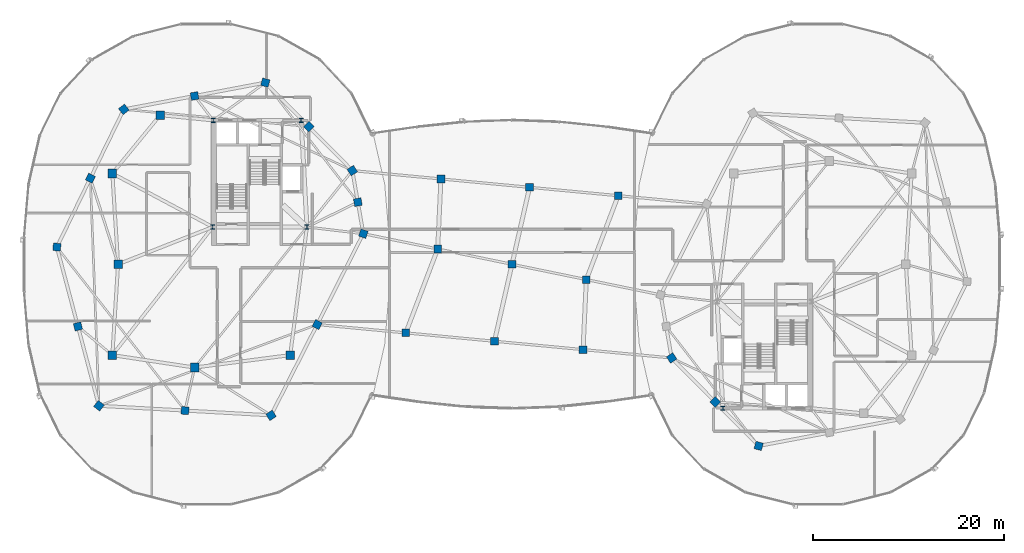
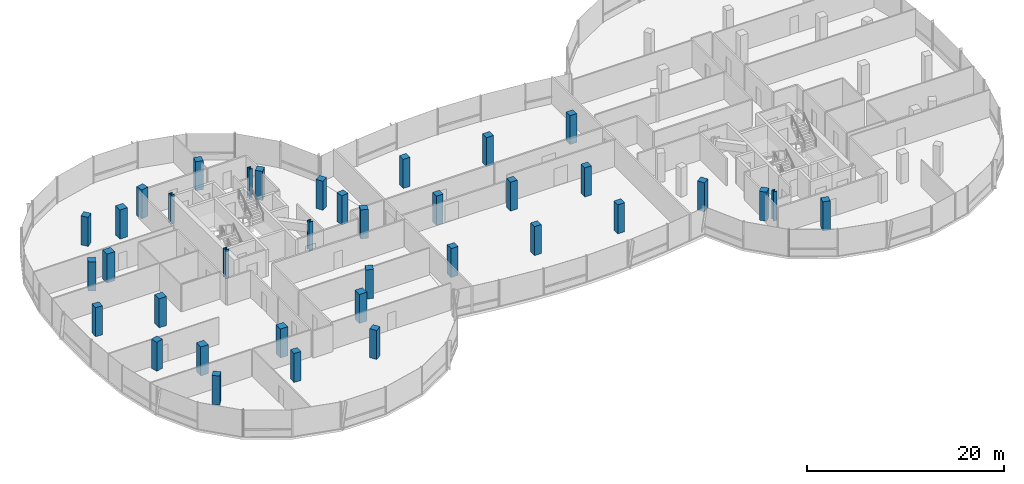
# One storey, part 1 of 25: 37 columns.
"""IFC4 building model written with IfcOpenShell, lengths in metres."""

from ifc_helpers import new_model, si_unit, direction, frame, origin, origin_2d, place, context, subcontext, project, spatial, rectangle, i_section, extrude, material, material_profile, profile_set, type_object, element, save


model = new_model("IFC4")

# Units and contexts
model_context = context("Model", 3, precision=1e-05, world=origin(), true_north=direction((0.0, 1.0)))
body_context = subcontext(model_context, "Body", "Model", "MODEL_VIEW")
ifc_project = project(units=[si_unit("LENGTHUNIT", "METRE"), si_unit("AREAUNIT", "SQUARE_METRE"), si_unit("VOLUMEUNIT", "CUBIC_METRE"), si_unit("PLANEANGLEUNIT", "RADIAN"), si_unit("MASSUNIT", "GRAM", prefix="KILO"), si_unit("THERMODYNAMICTEMPERATUREUNIT", "KELVIN"), si_unit("POWERUNIT", "WATT")], contexts=[model_context])

# Site, building, storey
site_placement = place(None, origin())
site = spatial("IfcSite", under=ifc_project, at=site_placement, CompositionType="ELEMENT")
building_placement = place(site_placement, origin())
building = spatial("IfcBuilding", under=site, at=building_placement, Name="Cundina Bronze Exchange", CompositionType="ELEMENT")
storey_placement = place(building_placement, frame((0.0, 0.0, 250.39990234375)))
storey = spatial("IfcBuildingStorey", under=building, at=storey_placement, Name="L66", CompositionType="ELEMENT", Elevation=250.39990234375)

# Columns
ifc_material_1 = material(Name="Concrete C50/60", Category="concrete")
ifc_material_profile_1 = material_profile(ifc_material_1, rectangle(XDim=0.800048828125, YDim=0.800048828125, at=origin_2d()), Name="RC800X800", Category="concrete")
ifc_profile_set_1 = profile_set([ifc_material_profile_1], Name="Concrete C50/60")
column_type_1 = type_object("IfcColumnType", Name="COL-BRG-800", PredefinedType="COLUMN", material=ifc_profile_set_1)
for number, where, z_axis, x_axis, name in (
    (1, (-15.550048828125, 3.199951171875, 0.0), (0.0, 0.0, 1.0), (0.315152163383, 0.949041155016, 0.0), "L66 W Perimeter Column 00"),
    (2, (-16.125, 6.5, 0.0), (0.0, 0.0, 1.0), (-0.171585221787, 0.985169280715, 0.0), "L66 W Perimeter Column 01"),
    (3, (-16.699951171875, 9.800048828125, 0.0), (0.0, 0.0, 1.0), (-0.544199833495, 0.838955625301, 0.0), "L66 W Perimeter Column 02"),
    (4, (-21.25, 14.39990234375, 0.0), (0.0, 0.0, 1.0), (-0.703270634186, 0.710922228581, 0.0), "L66 W Perimeter Column 03"),
    (5, (-25.800048828125, 19.0, 0.0), (0.0, 0.0, 1.0), (-0.965970984022, 0.258650455301, 0.0), "L66 W Perimeter Column 04"),
    (6, (-33.199951171875, 17.60009765625, 0.0), (0.0, 0.0, 1.0), (-0.98258037664, -0.185838110843, 0.0), "L66 W Perimeter Column 05"),
    (7, (-40.60009765625, 16.199951171875, 0.0), (0.0, 0.0, 1.0), (-0.785100778485, -0.619368038909, 0.0), "L66 W Perimeter Column 06"),
    (8, (-44.10009765625, 9.0, 0.0), (0.0, 0.0, 1.0), (-0.437115766651, -0.899405251566, 0.0), "L66 W Perimeter Column 07"),
    (9, (-47.60009765625, 1.800048828125, 0.0), (0.0, 0.0, 1.0), (-0.083503921245, -0.996507448611, 0.0), "L66 W Perimeter Column 08"),
    (10, (-45.39990234375, -6.5, 0.0), (0.0, 0.0, 1.0), (0.256289373133, -0.966600102017, 0.0), "L66 W Perimeter Column 09"),
    (11, (-43.199951171875, -14.800048828125, 0.0), (0.0, 0.0, 1.0), (0.786288432137, -0.61785961309, 0.0), "L66 W Perimeter Column 10"),
    (12, (-34.199951171875, -15.300048828125, 0.0), (0.0, 0.0, 1.0), (0.998460188734, -0.055472980025, 0.0), "L66 W Perimeter Column 11"),
    (13, (-25.199951171875, -15.800048828125, 0.0), (0.0, 0.0, 1.0), (0.838099763533, 0.545516989988, 0.0), "L66 W Perimeter Column 12"),
    (14, (-20.375, -6.300048828125, 0.0), (0.0, 0.0, 1.0), (0.452901591366, 0.891560513111, 0.0), "L66 W Perimeter Column 13"),
    (15, (16.699951171875, -9.800048828125, 0.0), (0.0, 0.0, 1.0), (0.544199833495, -0.838955625301, 0.0), "L66 E Perimeter Column 02"),
    (16, (21.25, -14.39990234375, 0.0), (0.0, 0.0, 1.0), (0.703270634186, -0.710922228581, 0.0), "L66 E Perimeter Column 03"),
    (17, (25.800048828125, -19.0, 0.0), (0.0, 0.0, 1.0), (0.965970984022, -0.258650455301, 0.0), "L66 E Perimeter Column 04"),
    (18, (-11.106201171875, -7.175048828125, 0.0), (0.0, 0.0, 1.0), (1.0, 0.0, 0.0), "L66 Sky-Gate Bridge Column Y1-X1"),
    (19, (-1.83740234375, -8.050048828125, 0.0), (0.0, 0.0, 1.0), (1.0, 0.0, 0.0), "L66 Sky-Gate Bridge Column Y1-X2"),
    (20, (7.431396484375, -8.925048828125, 0.0), (0.0, 0.0, 1.0), (1.0, 0.0, 0.0), "L66 Sky-Gate Bridge Column Y1-X3"),
    (21, (-7.77490234375, 1.60009765625, 0.0), (0.0, 0.0, 1.0), (1.0, 0.0, 0.0), "L66 Sky-Gate Bridge Column Y2-X1"),
    (22, (0.0, 0.0, 0.0), (0.0, 0.0, 1.0), (1.0, 0.0, 0.0), "L66 Sky-Gate Bridge Column Y2-X2"),
    (23, (7.77490234375, -1.60009765625, 0.0), (0.0, 0.0, 1.0), (1.0, 0.0, 0.0), "L66 Sky-Gate Bridge Column Y2-X3"),
    (24, (-7.43115234375, 8.925048828125, 0.0), (0.0, 0.0, 1.0), (1.0, 0.0, 0.0), "L66 Sky-Gate Bridge Column Y3-X1"),
    (25, (1.83740234375, 8.050048828125, 0.0), (0.0, 0.0, 1.0), (1.0, 0.0, 0.0), "L66 Sky-Gate Bridge Column Y3-X2"),
    (26, (11.106201171875, 7.175048828125, 0.0), (0.0, 0.0, 1.0), (1.0, 0.0, 0.0), "L66 Sky-Gate Bridge Column Y3-X3"),
):
    element("IfcColumn", number, at=place(storey_placement, frame(where, z_axis=z_axis, x_axis=x_axis)), inside=storey, type_object=column_type_1, Name=name, PredefinedType="COLUMN", context=body_context, shape_type="SweptSolid", body=[
        extrude(rectangle(XDim=0.800048828125, YDim=0.800048828125, at=origin_2d()), origin(), (0.0, 0.0, 1.0), 3.60009765625),
    ])
ifc_material_2 = material(Name="Steel ASTM A992 Grade 50", Category="steel")
ifc_material_profile_2 = material_profile(ifc_material_2, i_section(OverallWidth=0.416015625, OverallDepth=0.446044921875, WebThickness=0.0390625, FlangeThickness=0.062744140625, FilletRadius=0.01806640625, at=origin_2d()), Name="W14X342", Category="steel")
ifc_profile_set_2 = profile_set([ifc_material_profile_2], Name="Steel ASTM A992 Grade 50")
column_type_2 = type_object("IfcColumnType", Name="COL-STL-W14B", PredefinedType="COLUMN", material=ifc_profile_set_2)
for number, where, z_axis, x_axis, name in (
    (27, (-31.300048828125, 3.89990234375, 0.0), (0.0, 0.0, 1.0), (1.0, 0.0, 0.0), "L66 Core Anchor Column W1"),
    (28, (-21.449951171875, 3.89990234375, 0.0), (0.0, 0.0, 1.0), (1.0, 0.0, 0.0), "L66 Core Anchor Column W2"),
    (29, (-22.050048828125, 15.050048828125, 0.0), (0.0, 0.0, 1.0), (1.0, 0.0, 0.0), "L66 Core Anchor Column W3"),
    (30, (-31.25, 15.050048828125, 0.0), (0.0, 0.0, 1.0), (1.0, 0.0, 0.0), "L66 Core Anchor Column W4"),
    (31, (22.050048828125, -15.050048828125, 0.0), (0.0, 0.0, 1.0), (1.0, 0.0, 0.0), "L66 Core Anchor Column E3"),
):
    element("IfcColumn", number, at=place(storey_placement, frame(where, z_axis=z_axis, x_axis=x_axis)), inside=storey, type_object=column_type_2, Name=name, PredefinedType="COLUMN", context=body_context, shape_type="SweptSolid", body=[
        extrude(i_section(OverallWidth=0.416015625, OverallDepth=0.446044921875, WebThickness=0.0390625, FlangeThickness=0.062744140625, FilletRadius=0.01806640625, at=origin_2d()), origin(), (0.0, 0.0, 1.0), 3.60009765625),
    ])
ifc_material_profile_3 = material_profile(ifc_material_1, rectangle(XDim=0.89990234375, YDim=0.89990234375, at=origin_2d()), Name="RC900X900", Category="concrete")
ifc_profile_set_3 = profile_set([ifc_material_profile_3], Name="Concrete C50/60")
column_type_3 = type_object("IfcColumnType", Name="COL-Z4-900", PredefinedType="COLUMN", material=ifc_profile_set_3)
for number, where, z_axis, x_axis, name in (
    (32, (-41.199951171875, 0.0, 0.0), (0.0, 0.0, 1.0), (1.0, 0.0, 0.0), "L66 W Inner Ring Column 1"),
    (33, (-41.800048828125, 9.5, 0.0), (0.0, 0.0, 1.0), (1.0, 0.0, 0.0), "L66 W Inner Ring Column 2"),
    (34, (-36.800048828125, 15.60009765625, 0.0), (0.0, 0.0, 1.0), (1.0, 0.0, 0.0), "L66 W Inner Ring Column 3"),
    (35, (-41.800048828125, -9.5, 0.0), (0.0, 0.0, 1.0), (1.0, 0.0, 0.0), "L66 W Inner Ring Column 4"),
    (36, (-33.199951171875, -10.800048828125, 0.0), (0.0, 0.0, 1.0), (1.0, 0.0, 0.0), "L66 W Inner Ring Column 5"),
    (37, (-23.199951171875, -9.5, 0.0), (0.0, 0.0, 1.0), (1.0, 0.0, 0.0), "L66 W Inner Ring Column 6"),
):
    element("IfcColumn", number, at=place(storey_placement, frame(where, z_axis=z_axis, x_axis=x_axis)), inside=storey, type_object=column_type_3, Name=name, PredefinedType="COLUMN", context=body_context, shape_type="SweptSolid", body=[
        extrude(rectangle(XDim=0.89990234375, YDim=0.89990234375, at=origin_2d()), origin(), (0.0, 0.0, 1.0), 3.60009765625),
    ])

save(model, "model.ifc")
